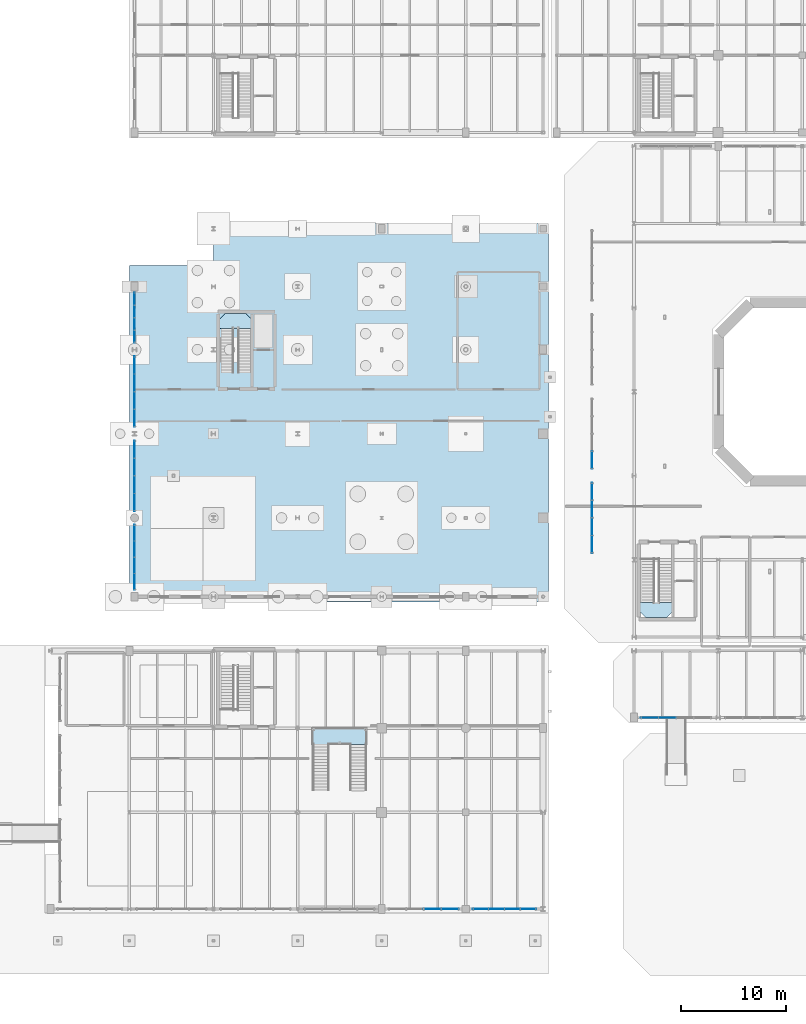
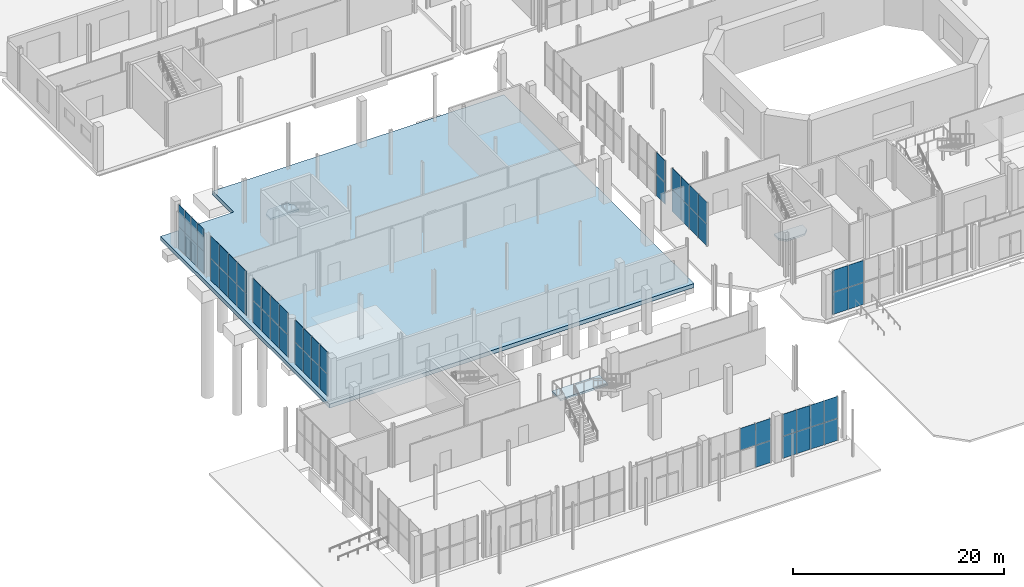
# One storey, part 58 of 87: 57 plates, 4 slabs, 12 elements without a shape of their own.
"""IFC4 building model written with IfcOpenShell, lengths in metres."""

from ifc_helpers import new_model, si_unit, direction, frame, origin, origin_2d, place, context, subcontext, project, spatial, polyline, rectangle, outline, extrude, material, layer, layer_set, type_object, element, aggregate, save


model = new_model("IFC4")

# Units and contexts
model_context = context("Model", 3, precision=1e-05, world=origin(), true_north=direction((0.0, 1.0)))
body_context = subcontext(model_context, "Body", "Model", "MODEL_VIEW")
ifc_project = project(units=[si_unit("LENGTHUNIT", "METRE"), si_unit("AREAUNIT", "SQUARE_METRE"), si_unit("VOLUMEUNIT", "CUBIC_METRE"), si_unit("PLANEANGLEUNIT", "RADIAN"), si_unit("MASSUNIT", "GRAM", prefix="KILO")], contexts=[model_context])

# Site, building, storey
site_placement = place(None, origin())
site = spatial("IfcSite", under=ifc_project, at=site_placement, CompositionType="ELEMENT")
building_placement = place(site_placement, origin())
building = spatial("IfcBuilding", under=site, at=building_placement, Name="Brisemont Oceanarium", CompositionType="ELEMENT")
storey_placement = place(building_placement, origin())
storey = spatial("IfcBuildingStorey", under=building, at=storey_placement, Name="L00", CompositionType="ELEMENT", Elevation=0.0)

# Curtain wall, plates
ifc_material_1 = material(Name="Anodized Extruded Aluminum 6063-T6", Category="aluminium")
curtain_wall_type_1 = type_object("IfcCurtainWallType", Name="CW-GAL-69X43", PredefinedType="NOTDEFINED", material=ifc_material_1)
curtain_wall_1_placement = place(storey_placement, origin())
curtain_wall_1 = element("IfcCurtainWall", 1, at=curtain_wall_1_placement, inside=storey, type_object=curtain_wall_type_1, Name="CW-12 curtain wall CW-V5W-W-L00-01", PredefinedType="NOTDEFINED")
ifc_material_2 = material(Name="Ceramic-Fritted Spandrel Glass", Category="glass")
ifc_layer_1 = layer(ifc_material_2, 0.031982421875)
ifc_layer_set_1 = layer_set([ifc_layer_1], Name="Ceramic-Fritted Spandrel Glass")
plate_type_1 = type_object("IfcPlateType", Name="PLT-CWP-S2", PredefinedType="CURTAIN_PANEL", material=ifc_layer_set_1)
plate_1_placement = place(storey_placement, frame((16.5, 37.925048828125, 0.00146484375), z_axis=(0.0, 0.0, 1.0), x_axis=(0.0, 1.0, 0.0)))
plate_1 = element("IfcPlate", 2, at=plate_1_placement, type_object=plate_type_1, Name="CW-V5W-W-L00-01 panel 1.1", PredefinedType="CURTAIN_PANEL", context=body_context, shape_type="SweptSolid", body=[
    extrude(rectangle(XDim=1.547119140625, YDim=0.031982421875, at=origin_2d()), origin(), (0.0, 0.0, 1.0), 2.547119140625),
])
plate_2_placement = place(storey_placement, frame((16.5, 37.925048828125, 2.55126953125), z_axis=(0.0, 0.0, 1.0), x_axis=(0.0, 1.0, 0.0)))
plate_2 = element("IfcPlate", 3, at=plate_2_placement, type_object=plate_type_1, Name="CW-V5W-W-L00-01 panel 1.2", PredefinedType="CURTAIN_PANEL", context=body_context, shape_type="SweptSolid", body=[
    extrude(rectangle(XDim=1.547119140625, YDim=0.031982421875, at=origin_2d()), origin(), (0.0, 0.0, 1.0), 2.547119140625),
])
plate_3_placement = place(storey_placement, frame((16.5, 39.47509765625, 0.00146484375), z_axis=(0.0, 0.0, 1.0), x_axis=(0.0, 1.0, 0.0)))
plate_3 = element("IfcPlate", 4, at=plate_3_placement, type_object=plate_type_1, Name="CW-V5W-W-L00-01 panel 2.1", PredefinedType="CURTAIN_PANEL", context=body_context, shape_type="SweptSolid", body=[
    extrude(rectangle(XDim=1.547119140625, YDim=0.031982421875, at=origin_2d()), origin(), (0.0, 0.0, 1.0), 2.547119140625),
])
plate_4_placement = place(storey_placement, frame((16.5, 39.47509765625, 2.55126953125), z_axis=(0.0, 0.0, 1.0), x_axis=(0.0, 1.0, 0.0)))
plate_4 = element("IfcPlate", 5, at=plate_4_placement, type_object=plate_type_1, Name="CW-V5W-W-L00-01 panel 2.2", PredefinedType="CURTAIN_PANEL", context=body_context, shape_type="SweptSolid", body=[
    extrude(rectangle(XDim=1.547119140625, YDim=0.031982421875, at=origin_2d()), origin(), (0.0, 0.0, 1.0), 2.547119140625),
])
plate_5_placement = place(storey_placement, frame((16.5, 41.02490234375, 0.00146484375), z_axis=(0.0, 0.0, 1.0), x_axis=(0.0, 1.0, 0.0)))
plate_5 = element("IfcPlate", 6, at=plate_5_placement, type_object=plate_type_1, Name="CW-V5W-W-L00-01 panel 3.1", PredefinedType="CURTAIN_PANEL", context=body_context, shape_type="SweptSolid", body=[
    extrude(rectangle(XDim=1.547119140625, YDim=0.031982421875, at=origin_2d()), origin(), (0.0, 0.0, 1.0), 2.547119140625),
])
plate_6_placement = place(storey_placement, frame((16.5, 41.02490234375, 2.55126953125), z_axis=(0.0, 0.0, 1.0), x_axis=(0.0, 1.0, 0.0)))
plate_6 = element("IfcPlate", 7, at=plate_6_placement, type_object=plate_type_1, Name="CW-V5W-W-L00-01 panel 3.2", PredefinedType="CURTAIN_PANEL", context=body_context, shape_type="SweptSolid", body=[
    extrude(rectangle(XDim=1.547119140625, YDim=0.031982421875, at=origin_2d()), origin(), (0.0, 0.0, 1.0), 2.547119140625),
])
plate_7_placement = place(storey_placement, frame((16.5, 42.574951171875, 0.00146484375), z_axis=(0.0, 0.0, 1.0), x_axis=(0.0, 1.0, 0.0)))
plate_7 = element("IfcPlate", 8, at=plate_7_placement, type_object=plate_type_1, Name="CW-V5W-W-L00-01 panel 4.1", PredefinedType="CURTAIN_PANEL", context=body_context, shape_type="SweptSolid", body=[
    extrude(rectangle(XDim=1.547119140625, YDim=0.031982421875, at=origin_2d()), origin(), (0.0, 0.0, 1.0), 2.547119140625),
])
plate_8_placement = place(storey_placement, frame((16.5, 42.574951171875, 2.55126953125), z_axis=(0.0, 0.0, 1.0), x_axis=(0.0, 1.0, 0.0)))
plate_8 = element("IfcPlate", 9, at=plate_8_placement, type_object=plate_type_1, Name="CW-V5W-W-L00-01 panel 4.2", PredefinedType="CURTAIN_PANEL", context=body_context, shape_type="SweptSolid", body=[
    extrude(rectangle(XDim=1.547119140625, YDim=0.031982421875, at=origin_2d()), origin(), (0.0, 0.0, 1.0), 2.547119140625),
])
aggregate(curtain_wall_1, [plate_1, plate_2, plate_3, plate_4, plate_5, plate_6, plate_7, plate_8])

curtain_wall_2_placement = place(storey_placement, origin())
curtain_wall_2 = element("IfcCurtainWall", 10, at=curtain_wall_2_placement, inside=storey, type_object=curtain_wall_type_1, Name="CW-12 curtain wall CW-V5W-W-L00-02", PredefinedType="NOTDEFINED")
plate_9_placement = place(storey_placement, frame((16.5, 45.487548828125, 0.00146484375), z_axis=(0.0, 0.0, 1.0), x_axis=(0.0, 1.0, 0.0)))
plate_9 = element("IfcPlate", 11, at=plate_9_placement, type_object=plate_type_1, Name="CW-V5W-W-L00-02 panel 1.1", PredefinedType="CURTAIN_PANEL", context=body_context, shape_type="SweptSolid", body=[
    extrude(rectangle(XDim=1.672119140625, YDim=0.031982421875, at=origin_2d()), origin(), (0.0, 0.0, 1.0), 2.547119140625),
])
plate_10_placement = place(storey_placement, frame((16.5, 45.487548828125, 2.55126953125), z_axis=(0.0, 0.0, 1.0), x_axis=(0.0, 1.0, 0.0)))
plate_10 = element("IfcPlate", 12, at=plate_10_placement, type_object=plate_type_1, Name="CW-V5W-W-L00-02 panel 1.2", PredefinedType="CURTAIN_PANEL", context=body_context, shape_type="SweptSolid", body=[
    extrude(rectangle(XDim=1.672119140625, YDim=0.031982421875, at=origin_2d()), origin(), (0.0, 0.0, 1.0), 2.547119140625),
])
plate_11_placement = place(storey_placement, frame((16.5, 47.16259765625, 0.00146484375), z_axis=(0.0, 0.0, 1.0), x_axis=(0.0, 1.0, 0.0)))
plate_11 = element("IfcPlate", 13, at=plate_11_placement, type_object=plate_type_1, Name="CW-V5W-W-L00-02 panel 2.1", PredefinedType="CURTAIN_PANEL", context=body_context, shape_type="SweptSolid", body=[
    extrude(rectangle(XDim=1.672119140625, YDim=0.031982421875, at=origin_2d()), origin(), (0.0, 0.0, 1.0), 2.547119140625),
])
plate_12_placement = place(storey_placement, frame((16.5, 47.16259765625, 2.55126953125), z_axis=(0.0, 0.0, 1.0), x_axis=(0.0, 1.0, 0.0)))
plate_12 = element("IfcPlate", 14, at=plate_12_placement, type_object=plate_type_1, Name="CW-V5W-W-L00-02 panel 2.2", PredefinedType="CURTAIN_PANEL", context=body_context, shape_type="SweptSolid", body=[
    extrude(rectangle(XDim=1.672119140625, YDim=0.031982421875, at=origin_2d()), origin(), (0.0, 0.0, 1.0), 2.547119140625),
])
plate_13_placement = place(storey_placement, frame((16.5, 48.83740234375, 0.00146484375), z_axis=(0.0, 0.0, 1.0), x_axis=(0.0, 1.0, 0.0)))
plate_13 = element("IfcPlate", 15, at=plate_13_placement, type_object=plate_type_1, Name="CW-V5W-W-L00-02 panel 3.1", PredefinedType="CURTAIN_PANEL", context=body_context, shape_type="SweptSolid", body=[
    extrude(rectangle(XDim=1.672119140625, YDim=0.031982421875, at=origin_2d()), origin(), (0.0, 0.0, 1.0), 2.547119140625),
])
plate_14_placement = place(storey_placement, frame((16.5, 48.83740234375, 2.55126953125), z_axis=(0.0, 0.0, 1.0), x_axis=(0.0, 1.0, 0.0)))
plate_14 = element("IfcPlate", 16, at=plate_14_placement, type_object=plate_type_1, Name="CW-V5W-W-L00-02 panel 3.2", PredefinedType="CURTAIN_PANEL", context=body_context, shape_type="SweptSolid", body=[
    extrude(rectangle(XDim=1.672119140625, YDim=0.031982421875, at=origin_2d()), origin(), (0.0, 0.0, 1.0), 2.547119140625),
])
plate_15_placement = place(storey_placement, frame((16.5, 50.512451171875, 0.00146484375), z_axis=(0.0, 0.0, 1.0), x_axis=(0.0, 1.0, 0.0)))
plate_15 = element("IfcPlate", 17, at=plate_15_placement, type_object=plate_type_1, Name="CW-V5W-W-L00-02 panel 4.1", PredefinedType="CURTAIN_PANEL", context=body_context, shape_type="SweptSolid", body=[
    extrude(rectangle(XDim=1.672119140625, YDim=0.031982421875, at=origin_2d()), origin(), (0.0, 0.0, 1.0), 2.547119140625),
])
plate_16_placement = place(storey_placement, frame((16.5, 50.512451171875, 2.55126953125), z_axis=(0.0, 0.0, 1.0), x_axis=(0.0, 1.0, 0.0)))
plate_16 = element("IfcPlate", 18, at=plate_16_placement, type_object=plate_type_1, Name="CW-V5W-W-L00-02 panel 4.2", PredefinedType="CURTAIN_PANEL", context=body_context, shape_type="SweptSolid", body=[
    extrude(rectangle(XDim=1.672119140625, YDim=0.031982421875, at=origin_2d()), origin(), (0.0, 0.0, 1.0), 2.547119140625),
])
aggregate(curtain_wall_2, [plate_9, plate_10, plate_11, plate_12, plate_13, plate_14, plate_15, plate_16])

curtain_wall_3_placement = place(storey_placement, origin())
curtain_wall_3 = element("IfcCurtainWall", 19, at=curtain_wall_3_placement, inside=storey, type_object=curtain_wall_type_1, Name="CW-12 curtain wall CW-V5W-W-L00-03", PredefinedType="NOTDEFINED")
plate_17_placement = place(storey_placement, frame((16.5, 53.487548828125, 0.00146484375), z_axis=(0.0, 0.0, 1.0), x_axis=(0.0, 1.0, 0.0)))
plate_17 = element("IfcPlate", 20, at=plate_17_placement, type_object=plate_type_1, Name="CW-V5W-W-L00-03 panel 1.1", PredefinedType="CURTAIN_PANEL", context=body_context, shape_type="SweptSolid", body=[
    extrude(rectangle(XDim=1.672119140625, YDim=0.031982421875, at=origin_2d()), origin(), (0.0, 0.0, 1.0), 2.547119140625),
])
plate_18_placement = place(storey_placement, frame((16.5, 53.487548828125, 2.55126953125), z_axis=(0.0, 0.0, 1.0), x_axis=(0.0, 1.0, 0.0)))
plate_18 = element("IfcPlate", 21, at=plate_18_placement, type_object=plate_type_1, Name="CW-V5W-W-L00-03 panel 1.2", PredefinedType="CURTAIN_PANEL", context=body_context, shape_type="SweptSolid", body=[
    extrude(rectangle(XDim=1.672119140625, YDim=0.031982421875, at=origin_2d()), origin(), (0.0, 0.0, 1.0), 2.547119140625),
])
plate_19_placement = place(storey_placement, frame((16.5, 55.16259765625, 0.00146484375), z_axis=(0.0, 0.0, 1.0), x_axis=(0.0, 1.0, 0.0)))
plate_19 = element("IfcPlate", 22, at=plate_19_placement, type_object=plate_type_1, Name="CW-V5W-W-L00-03 panel 2.1", PredefinedType="CURTAIN_PANEL", context=body_context, shape_type="SweptSolid", body=[
    extrude(rectangle(XDim=1.672119140625, YDim=0.031982421875, at=origin_2d()), origin(), (0.0, 0.0, 1.0), 2.547119140625),
])
plate_20_placement = place(storey_placement, frame((16.5, 55.16259765625, 2.55126953125), z_axis=(0.0, 0.0, 1.0), x_axis=(0.0, 1.0, 0.0)))
plate_20 = element("IfcPlate", 23, at=plate_20_placement, type_object=plate_type_1, Name="CW-V5W-W-L00-03 panel 2.2", PredefinedType="CURTAIN_PANEL", context=body_context, shape_type="SweptSolid", body=[
    extrude(rectangle(XDim=1.672119140625, YDim=0.031982421875, at=origin_2d()), origin(), (0.0, 0.0, 1.0), 2.547119140625),
])
plate_21_placement = place(storey_placement, frame((16.5, 56.83740234375, 0.00146484375), z_axis=(0.0, 0.0, 1.0), x_axis=(0.0, 1.0, 0.0)))
plate_21 = element("IfcPlate", 24, at=plate_21_placement, type_object=plate_type_1, Name="CW-V5W-W-L00-03 panel 3.1", PredefinedType="CURTAIN_PANEL", context=body_context, shape_type="SweptSolid", body=[
    extrude(rectangle(XDim=1.672119140625, YDim=0.031982421875, at=origin_2d()), origin(), (0.0, 0.0, 1.0), 2.547119140625),
])
plate_22_placement = place(storey_placement, frame((16.5, 56.83740234375, 2.55126953125), z_axis=(0.0, 0.0, 1.0), x_axis=(0.0, 1.0, 0.0)))
plate_22 = element("IfcPlate", 25, at=plate_22_placement, type_object=plate_type_1, Name="CW-V5W-W-L00-03 panel 3.2", PredefinedType="CURTAIN_PANEL", context=body_context, shape_type="SweptSolid", body=[
    extrude(rectangle(XDim=1.672119140625, YDim=0.031982421875, at=origin_2d()), origin(), (0.0, 0.0, 1.0), 2.547119140625),
])
plate_23_placement = place(storey_placement, frame((16.5, 58.512451171875, 0.00146484375), z_axis=(0.0, 0.0, 1.0), x_axis=(0.0, 1.0, 0.0)))
plate_23 = element("IfcPlate", 26, at=plate_23_placement, type_object=plate_type_1, Name="CW-V5W-W-L00-03 panel 4.1", PredefinedType="CURTAIN_PANEL", context=body_context, shape_type="SweptSolid", body=[
    extrude(rectangle(XDim=1.672119140625, YDim=0.031982421875, at=origin_2d()), origin(), (0.0, 0.0, 1.0), 2.547119140625),
])
plate_24_placement = place(storey_placement, frame((16.5, 58.512451171875, 2.55126953125), z_axis=(0.0, 0.0, 1.0), x_axis=(0.0, 1.0, 0.0)))
plate_24 = element("IfcPlate", 27, at=plate_24_placement, type_object=plate_type_1, Name="CW-V5W-W-L00-03 panel 4.2", PredefinedType="CURTAIN_PANEL", context=body_context, shape_type="SweptSolid", body=[
    extrude(rectangle(XDim=1.672119140625, YDim=0.031982421875, at=origin_2d()), origin(), (0.0, 0.0, 1.0), 2.547119140625),
])
aggregate(curtain_wall_3, [plate_17, plate_18, plate_19, plate_20, plate_21, plate_22, plate_23, plate_24])

curtain_wall_4_placement = place(storey_placement, origin())
curtain_wall_4 = element("IfcCurtainWall", 28, at=curtain_wall_4_placement, inside=storey, type_object=curtain_wall_type_1, Name="CW-12 curtain wall CW-V5W-W-L00-04", PredefinedType="NOTDEFINED")
plate_25_placement = place(storey_placement, frame((16.5, 61.24609375, 0.00146484375), z_axis=(0.0, 0.0, 1.0), x_axis=(0.0, 1.0, 0.0)))
plate_25 = element("IfcPlate", 29, at=plate_25_placement, type_object=plate_type_1, Name="CW-V5W-W-L00-04 panel 1.1", PredefinedType="CURTAIN_PANEL", context=body_context, shape_type="SweptSolid", body=[
    extrude(rectangle(XDim=1.189453125, YDim=0.031982421875, at=origin_2d()), origin(), (0.0, 0.0, 1.0), 2.547119140625),
])
plate_26_placement = place(storey_placement, frame((16.5, 61.24609375, 2.55126953125), z_axis=(0.0, 0.0, 1.0), x_axis=(0.0, 1.0, 0.0)))
plate_26 = element("IfcPlate", 30, at=plate_26_placement, type_object=plate_type_1, Name="CW-V5W-W-L00-04 panel 1.2", PredefinedType="CURTAIN_PANEL", context=body_context, shape_type="SweptSolid", body=[
    extrude(rectangle(XDim=1.189453125, YDim=0.031982421875, at=origin_2d()), origin(), (0.0, 0.0, 1.0), 2.547119140625),
])
plate_27_placement = place(storey_placement, frame((16.5, 62.438720703125, 0.00146484375), z_axis=(0.0, 0.0, 1.0), x_axis=(0.0, 1.0, 0.0)))
plate_27 = element("IfcPlate", 31, at=plate_27_placement, type_object=plate_type_1, Name="CW-V5W-W-L00-04 panel 2.1", PredefinedType="CURTAIN_PANEL", context=body_context, shape_type="SweptSolid", body=[
    extrude(rectangle(XDim=1.189453125, YDim=0.031982421875, at=origin_2d()), origin(), (0.0, 0.0, 1.0), 2.547119140625),
])
plate_28_placement = place(storey_placement, frame((16.5, 62.438720703125, 2.55126953125), z_axis=(0.0, 0.0, 1.0), x_axis=(0.0, 1.0, 0.0)))
plate_28 = element("IfcPlate", 32, at=plate_28_placement, type_object=plate_type_1, Name="CW-V5W-W-L00-04 panel 2.2", PredefinedType="CURTAIN_PANEL", context=body_context, shape_type="SweptSolid", body=[
    extrude(rectangle(XDim=1.189453125, YDim=0.031982421875, at=origin_2d()), origin(), (0.0, 0.0, 1.0), 2.547119140625),
])
plate_29_placement = place(storey_placement, frame((16.5, 63.63134765625, 0.00146484375), z_axis=(0.0, 0.0, 1.0), x_axis=(0.0, 1.0, 0.0)))
plate_29 = element("IfcPlate", 33, at=plate_29_placement, type_object=plate_type_1, Name="CW-V5W-W-L00-04 panel 3.1", PredefinedType="CURTAIN_PANEL", context=body_context, shape_type="SweptSolid", body=[
    extrude(rectangle(XDim=1.189453125, YDim=0.031982421875, at=origin_2d()), origin(), (0.0, 0.0, 1.0), 2.547119140625),
])
plate_30_placement = place(storey_placement, frame((16.5, 63.63134765625, 2.55126953125), z_axis=(0.0, 0.0, 1.0), x_axis=(0.0, 1.0, 0.0)))
plate_30 = element("IfcPlate", 34, at=plate_30_placement, type_object=plate_type_1, Name="CW-V5W-W-L00-04 panel 3.2", PredefinedType="CURTAIN_PANEL", context=body_context, shape_type="SweptSolid", body=[
    extrude(rectangle(XDim=1.189453125, YDim=0.031982421875, at=origin_2d()), origin(), (0.0, 0.0, 1.0), 2.547119140625),
])
plate_31_placement = place(storey_placement, frame((16.5, 64.82373046875, 0.00146484375), z_axis=(0.0, 0.0, 1.0), x_axis=(0.0, 1.0, 0.0)))
plate_31 = element("IfcPlate", 35, at=plate_31_placement, type_object=plate_type_1, Name="CW-V5W-W-L00-04 panel 4.1", PredefinedType="CURTAIN_PANEL", context=body_context, shape_type="SweptSolid", body=[
    extrude(rectangle(XDim=1.189453125, YDim=0.031982421875, at=origin_2d()), origin(), (0.0, 0.0, 1.0), 2.547119140625),
])
plate_32_placement = place(storey_placement, frame((16.5, 64.82373046875, 2.55126953125), z_axis=(0.0, 0.0, 1.0), x_axis=(0.0, 1.0, 0.0)))
plate_32 = element("IfcPlate", 36, at=plate_32_placement, type_object=plate_type_1, Name="CW-V5W-W-L00-04 panel 4.2", PredefinedType="CURTAIN_PANEL", context=body_context, shape_type="SweptSolid", body=[
    extrude(rectangle(XDim=1.189453125, YDim=0.031982421875, at=origin_2d()), origin(), (0.0, 0.0, 1.0), 2.547119140625),
])
aggregate(curtain_wall_4, [plate_25, plate_26, plate_27, plate_28, plate_29, plate_30, plate_31, plate_32])

ifc_material_3 = material(Name="Anodized Extruded Aluminum 6063-T6", Category="aluminium")
curtain_wall_type_2 = type_object("IfcCurtainWallType", Name="CW-ROT-69X50", PredefinedType="NOTDEFINED", material=ifc_material_3)
curtain_wall_5_placement = place(storey_placement, origin())
curtain_wall_5 = element("IfcCurtainWall", 37, at=curtain_wall_5_placement, inside=storey, type_object=curtain_wall_type_2, Name="CW-01 curtain wall CW-V1-W-L00-01", PredefinedType="NOTDEFINED")
ifc_material_4 = material(Name="Insulated Low-E Laminated Glass", Category="glass")
ifc_layer_2 = layer(ifc_material_4, 0.028076171875)
ifc_layer_set_2 = layer_set([ifc_layer_2], Name="Insulated Low-E Laminated Glass")
plate_type_2 = type_object("IfcPlateType", Name="PLT-CWP-V1", PredefinedType="CURTAIN_PANEL", material=ifc_layer_set_2)
plate_33_placement = place(storey_placement, frame((60.0, 41.487548828125, 0.00146484375), z_axis=(0.0, 0.0, 1.0), x_axis=(0.0, 1.0, 0.0)))
plate_33 = element("IfcPlate", 38, at=plate_33_placement, type_object=plate_type_2, Name="CW-V1-W-L00-01 panel 1.1", PredefinedType="CURTAIN_PANEL", context=body_context, shape_type="SweptSolid", body=[
    extrude(rectangle(XDim=1.672119140625, YDim=0.028076171875, at=origin_2d()), origin(), (0.0, 0.0, 1.0), 2.527099609375),
])
plate_34_placement = place(storey_placement, frame((60.0, 41.487548828125, 2.53125), z_axis=(0.0, 0.0, 1.0), x_axis=(0.0, 1.0, 0.0)))
plate_34 = element("IfcPlate", 39, at=plate_34_placement, type_object=plate_type_2, Name="CW-V1-W-L00-01 panel 1.2", PredefinedType="CURTAIN_PANEL", context=body_context, shape_type="SweptSolid", body=[
    extrude(rectangle(XDim=1.672119140625, YDim=0.028076171875, at=origin_2d()), origin(), (0.0, 0.0, 1.0), 2.527099609375),
])
plate_35_placement = place(storey_placement, frame((60.0, 43.16259765625, 0.00146484375), z_axis=(0.0, 0.0, 1.0), x_axis=(0.0, 1.0, 0.0)))
plate_35 = element("IfcPlate", 40, at=plate_35_placement, type_object=plate_type_2, Name="CW-V1-W-L00-01 panel 2.1", PredefinedType="CURTAIN_PANEL", context=body_context, shape_type="SweptSolid", body=[
    extrude(rectangle(XDim=1.672119140625, YDim=0.028076171875, at=origin_2d()), origin(), (0.0, 0.0, 1.0), 2.527099609375),
])
plate_36_placement = place(storey_placement, frame((60.0, 43.16259765625, 2.53125), z_axis=(0.0, 0.0, 1.0), x_axis=(0.0, 1.0, 0.0)))
plate_36 = element("IfcPlate", 41, at=plate_36_placement, type_object=plate_type_2, Name="CW-V1-W-L00-01 panel 2.2", PredefinedType="CURTAIN_PANEL", context=body_context, shape_type="SweptSolid", body=[
    extrude(rectangle(XDim=1.672119140625, YDim=0.028076171875, at=origin_2d()), origin(), (0.0, 0.0, 1.0), 2.527099609375),
])
plate_37_placement = place(storey_placement, frame((60.0, 44.83740234375, 0.00146484375), z_axis=(0.0, 0.0, 1.0), x_axis=(0.0, 1.0, 0.0)))
plate_37 = element("IfcPlate", 42, at=plate_37_placement, type_object=plate_type_2, Name="CW-V1-W-L00-01 panel 3.1", PredefinedType="CURTAIN_PANEL", context=body_context, shape_type="SweptSolid", body=[
    extrude(rectangle(XDim=1.672119140625, YDim=0.028076171875, at=origin_2d()), origin(), (0.0, 0.0, 1.0), 2.527099609375),
])
plate_38_placement = place(storey_placement, frame((60.0, 44.83740234375, 2.53125), z_axis=(0.0, 0.0, 1.0), x_axis=(0.0, 1.0, 0.0)))
plate_38 = element("IfcPlate", 43, at=plate_38_placement, type_object=plate_type_2, Name="CW-V1-W-L00-01 panel 3.2", PredefinedType="CURTAIN_PANEL", context=body_context, shape_type="SweptSolid", body=[
    extrude(rectangle(XDim=1.672119140625, YDim=0.028076171875, at=origin_2d()), origin(), (0.0, 0.0, 1.0), 2.527099609375),
])
plate_39_placement = place(storey_placement, frame((60.0, 46.512451171875, 0.00146484375), z_axis=(0.0, 0.0, 1.0), x_axis=(0.0, 1.0, 0.0)))
plate_39 = element("IfcPlate", 44, at=plate_39_placement, type_object=plate_type_2, Name="CW-V1-W-L00-01 panel 4.1", PredefinedType="CURTAIN_PANEL", context=body_context, shape_type="SweptSolid", body=[
    extrude(rectangle(XDim=1.672119140625, YDim=0.028076171875, at=origin_2d()), origin(), (0.0, 0.0, 1.0), 2.527099609375),
])
plate_40_placement = place(storey_placement, frame((60.0, 46.512451171875, 2.53125), z_axis=(0.0, 0.0, 1.0), x_axis=(0.0, 1.0, 0.0)))
plate_40 = element("IfcPlate", 45, at=plate_40_placement, type_object=plate_type_2, Name="CW-V1-W-L00-01 panel 4.2", PredefinedType="CURTAIN_PANEL", context=body_context, shape_type="SweptSolid", body=[
    extrude(rectangle(XDim=1.672119140625, YDim=0.028076171875, at=origin_2d()), origin(), (0.0, 0.0, 1.0), 2.527099609375),
])
aggregate(curtain_wall_5, [plate_33, plate_34, plate_35, plate_36, plate_37, plate_38, plate_39, plate_40])

curtain_wall_6_placement = place(storey_placement, origin())
curtain_wall_6 = element("IfcCurtainWall", 46, at=curtain_wall_6_placement, inside=storey, type_object=curtain_wall_type_2, Name="CW-01 curtain wall CW-V1-W-L00-02", PredefinedType="NOTDEFINED")
plate_41_placement = place(storey_placement, frame((60.0, 49.487548828125, 0.00146484375), z_axis=(0.0, 0.0, 1.0), x_axis=(0.0, 1.0, 0.0)))
plate_41 = element("IfcPlate", 47, at=plate_41_placement, type_object=plate_type_2, Name="CW-V1-W-L00-02 panel 1.1", PredefinedType="CURTAIN_PANEL", context=body_context, shape_type="SweptSolid", body=[
    extrude(rectangle(XDim=1.672119140625, YDim=0.028076171875, at=origin_2d()), origin(), (0.0, 0.0, 1.0), 2.527099609375),
])
plate_42_placement = place(storey_placement, frame((60.0, 49.487548828125, 2.53125), z_axis=(0.0, 0.0, 1.0), x_axis=(0.0, 1.0, 0.0)))
plate_42 = element("IfcPlate", 48, at=plate_42_placement, type_object=plate_type_2, Name="CW-V1-W-L00-02 panel 1.2", PredefinedType="CURTAIN_PANEL", context=body_context, shape_type="SweptSolid", body=[
    extrude(rectangle(XDim=1.672119140625, YDim=0.028076171875, at=origin_2d()), origin(), (0.0, 0.0, 1.0), 2.527099609375),
])
aggregate(curtain_wall_6, [plate_41, plate_42])

ifc_material_5 = material(Name="Anodized Extruded Aluminum 6063-T6", Category="aluminium")
curtain_wall_type_3 = type_object("IfcCurtainWallType", Name="CW-POR-69X50", PredefinedType="NOTDEFINED", material=ifc_material_5)
curtain_wall_7_placement = place(storey_placement, origin())
curtain_wall_7 = element("IfcCurtainWall", 49, at=curtain_wall_7_placement, inside=storey, type_object=curtain_wall_type_3, Name="CW-19 curtain wall CW-V1P-S-L00-01", PredefinedType="NOTDEFINED")
ifc_material_6 = material(Name="Insulated Low-E Laminated Glass", Category="glass")
ifc_layer_3 = layer(ifc_material_6, 0.030029296875)
ifc_layer_set_3 = layer_set([ifc_layer_3], Name="Insulated Low-E Laminated Glass")
plate_type_3 = type_object("IfcPlateType", Name="PLT-CWP-V4", PredefinedType="CURTAIN_PANEL", material=ifc_layer_set_3)
plate_43_placement = place(storey_placement, frame((65.487548828125, 25.0, 0.00146484375), z_axis=(0.0, 0.0, 1.0), x_axis=(1.0, 0.0, 0.0)))
plate_43 = element("IfcPlate", 50, at=plate_43_placement, type_object=plate_type_3, Name="CW-V1P-S-L00-01 panel 1.1", PredefinedType="CURTAIN_PANEL", context=body_context, shape_type="SweptSolid", body=[
    extrude(rectangle(XDim=1.672119140625, YDim=0.030029296875, at=origin_2d()), origin(), (0.0, 0.0, 1.0), 2.547119140625),
])
plate_44_placement = place(storey_placement, frame((65.487548828125, 25.0, 2.55126953125), z_axis=(0.0, 0.0, 1.0), x_axis=(1.0, 0.0, 0.0)))
plate_44 = element("IfcPlate", 51, at=plate_44_placement, type_object=plate_type_3, Name="CW-V1P-S-L00-01 panel 1.2", PredefinedType="CURTAIN_PANEL", context=body_context, shape_type="SweptSolid", body=[
    extrude(rectangle(XDim=1.672119140625, YDim=0.030029296875, at=origin_2d()), origin(), (0.0, 0.0, 1.0), 2.547119140625),
])
plate_45_placement = place(storey_placement, frame((67.16259765625, 25.0, 0.00146484375), z_axis=(0.0, 0.0, 1.0), x_axis=(1.0, 0.0, 0.0)))
plate_45 = element("IfcPlate", 52, at=plate_45_placement, type_object=plate_type_3, Name="CW-V1P-S-L00-01 panel 2.1", PredefinedType="CURTAIN_PANEL", context=body_context, shape_type="SweptSolid", body=[
    extrude(rectangle(XDim=1.672119140625, YDim=0.030029296875, at=origin_2d()), origin(), (0.0, 0.0, 1.0), 2.547119140625),
])
plate_46_placement = place(storey_placement, frame((67.16259765625, 25.0, 2.55126953125), z_axis=(0.0, 0.0, 1.0), x_axis=(1.0, 0.0, 0.0)))
plate_46 = element("IfcPlate", 53, at=plate_46_placement, type_object=plate_type_3, Name="CW-V1P-S-L00-01 panel 2.2", PredefinedType="CURTAIN_PANEL", context=body_context, shape_type="SweptSolid", body=[
    extrude(rectangle(XDim=1.672119140625, YDim=0.030029296875, at=origin_2d()), origin(), (0.0, 0.0, 1.0), 2.547119140625),
])
aggregate(curtain_wall_7, [plate_43, plate_44, plate_45, plate_46])

ifc_material_7 = material(Name="Anodized Extruded Aluminum 6063-T6", Category="aluminium")
curtain_wall_type_4 = type_object("IfcCurtainWallType", Name="CW-HALL-69X50", PredefinedType="NOTDEFINED", material=ifc_material_7)
curtain_wall_8_placement = place(storey_placement, origin())
curtain_wall_8 = element("IfcCurtainWall", 54, at=curtain_wall_8_placement, inside=storey, type_object=curtain_wall_type_4, Name="CW-04 curtain wall CW-V2-S-L00-05", PredefinedType="NOTDEFINED")
plate_47_placement = place(storey_placement, frame((44.83740234375, 6.800048828125, 2.55126953125), z_axis=(0.0, 0.0, 1.0), x_axis=(1.0, 0.0, 0.0)))
plate_47 = element("IfcPlate", 55, at=plate_47_placement, type_object=plate_type_3, Name="CW-V2-S-L00-05 panel 3.2", PredefinedType="CURTAIN_PANEL", context=body_context, shape_type="SweptSolid", body=[
    extrude(rectangle(XDim=1.672119140625, YDim=0.030029296875, at=origin_2d()), origin(), (0.0, 0.0, 1.0), 2.547119140625),
])
plate_48_placement = place(storey_placement, frame((46.512451171875, 6.800048828125, 0.00146484375), z_axis=(0.0, 0.0, 1.0), x_axis=(1.0, 0.0, 0.0)))
plate_48 = element("IfcPlate", 56, at=plate_48_placement, type_object=plate_type_3, Name="CW-V2-S-L00-05 panel 4.1", PredefinedType="CURTAIN_PANEL", context=body_context, shape_type="SweptSolid", body=[
    extrude(rectangle(XDim=1.672119140625, YDim=0.030029296875, at=origin_2d()), origin(), (0.0, 0.0, 1.0), 2.547119140625),
])
plate_49_placement = place(storey_placement, frame((46.512451171875, 6.800048828125, 2.55126953125), z_axis=(0.0, 0.0, 1.0), x_axis=(1.0, 0.0, 0.0)))
plate_49 = element("IfcPlate", 57, at=plate_49_placement, type_object=plate_type_3, Name="CW-V2-S-L00-05 panel 4.2", PredefinedType="CURTAIN_PANEL", context=body_context, shape_type="SweptSolid", body=[
    extrude(rectangle(XDim=1.672119140625, YDim=0.030029296875, at=origin_2d()), origin(), (0.0, 0.0, 1.0), 2.547119140625),
])
aggregate(curtain_wall_8, [plate_47, plate_48, plate_49])

curtain_wall_9_placement = place(storey_placement, origin())
curtain_wall_9 = element("IfcCurtainWall", 58, at=curtain_wall_9_placement, inside=storey, type_object=curtain_wall_type_4, Name="CW-04 curtain wall CW-V2-S-L00-06", PredefinedType="NOTDEFINED")
plate_50_placement = place(storey_placement, frame((49.40625, 6.800048828125, 0.00146484375), z_axis=(0.0, 0.0, 1.0), x_axis=(1.0, 0.0, 0.0)))
plate_50 = element("IfcPlate", 59, at=plate_50_placement, type_object=plate_type_3, Name="CW-V2-S-L00-06 panel 1.1", PredefinedType="CURTAIN_PANEL", context=body_context, shape_type="SweptSolid", body=[
    extrude(rectangle(XDim=1.509521484375, YDim=0.030029296875, at=origin_2d()), origin(), (0.0, 0.0, 1.0), 2.547119140625),
])
plate_51_placement = place(storey_placement, frame((49.40625, 6.800048828125, 2.55126953125), z_axis=(0.0, 0.0, 1.0), x_axis=(1.0, 0.0, 0.0)))
plate_51 = element("IfcPlate", 60, at=plate_51_placement, type_object=plate_type_3, Name="CW-V2-S-L00-06 panel 1.2", PredefinedType="CURTAIN_PANEL", context=body_context, shape_type="SweptSolid", body=[
    extrude(rectangle(XDim=1.509521484375, YDim=0.030029296875, at=origin_2d()), origin(), (0.0, 0.0, 1.0), 2.547119140625),
])
plate_52_placement = place(storey_placement, frame((50.918701171875, 6.800048828125, 0.00146484375), z_axis=(0.0, 0.0, 1.0), x_axis=(1.0, 0.0, 0.0)))
plate_52 = element("IfcPlate", 61, at=plate_52_placement, type_object=plate_type_3, Name="CW-V2-S-L00-06 panel 2.1", PredefinedType="CURTAIN_PANEL", context=body_context, shape_type="SweptSolid", body=[
    extrude(rectangle(XDim=1.509521484375, YDim=0.030029296875, at=origin_2d()), origin(), (0.0, 0.0, 1.0), 2.547119140625),
])
plate_53_placement = place(storey_placement, frame((50.918701171875, 6.800048828125, 2.55126953125), z_axis=(0.0, 0.0, 1.0), x_axis=(1.0, 0.0, 0.0)))
plate_53 = element("IfcPlate", 62, at=plate_53_placement, type_object=plate_type_3, Name="CW-V2-S-L00-06 panel 2.2", PredefinedType="CURTAIN_PANEL", context=body_context, shape_type="SweptSolid", body=[
    extrude(rectangle(XDim=1.509521484375, YDim=0.030029296875, at=origin_2d()), origin(), (0.0, 0.0, 1.0), 2.547119140625),
])
plate_54_placement = place(storey_placement, frame((52.43115234375, 6.800048828125, 0.00146484375), z_axis=(0.0, 0.0, 1.0), x_axis=(1.0, 0.0, 0.0)))
plate_54 = element("IfcPlate", 63, at=plate_54_placement, type_object=plate_type_3, Name="CW-V2-S-L00-06 panel 3.1", PredefinedType="CURTAIN_PANEL", context=body_context, shape_type="SweptSolid", body=[
    extrude(rectangle(XDim=1.509521484375, YDim=0.030029296875, at=origin_2d()), origin(), (0.0, 0.0, 1.0), 2.547119140625),
])
plate_55_placement = place(storey_placement, frame((52.43115234375, 6.800048828125, 2.55126953125), z_axis=(0.0, 0.0, 1.0), x_axis=(1.0, 0.0, 0.0)))
plate_55 = element("IfcPlate", 64, at=plate_55_placement, type_object=plate_type_3, Name="CW-V2-S-L00-06 panel 3.2", PredefinedType="CURTAIN_PANEL", context=body_context, shape_type="SweptSolid", body=[
    extrude(rectangle(XDim=1.509521484375, YDim=0.030029296875, at=origin_2d()), origin(), (0.0, 0.0, 1.0), 2.547119140625),
])
plate_56_placement = place(storey_placement, frame((53.94384765625, 6.800048828125, 0.00146484375), z_axis=(0.0, 0.0, 1.0), x_axis=(1.0, 0.0, 0.0)))
plate_56 = element("IfcPlate", 65, at=plate_56_placement, type_object=plate_type_3, Name="CW-V2-S-L00-06 panel 4.1", PredefinedType="CURTAIN_PANEL", context=body_context, shape_type="SweptSolid", body=[
    extrude(rectangle(XDim=1.509521484375, YDim=0.030029296875, at=origin_2d()), origin(), (0.0, 0.0, 1.0), 2.547119140625),
])
plate_57_placement = place(storey_placement, frame((53.94384765625, 6.800048828125, 2.55126953125), z_axis=(0.0, 0.0, 1.0), x_axis=(1.0, 0.0, 0.0)))
plate_57 = element("IfcPlate", 66, at=plate_57_placement, type_object=plate_type_3, Name="CW-V2-S-L00-06 panel 4.2", PredefinedType="CURTAIN_PANEL", context=body_context, shape_type="SweptSolid", body=[
    extrude(rectangle(XDim=1.509521484375, YDim=0.030029296875, at=origin_2d()), origin(), (0.0, 0.0, 1.0), 2.547119140625),
])
aggregate(curtain_wall_9, [plate_50, plate_51, plate_52, plate_53, plate_54, plate_55, plate_56, plate_57])

# Slab
ifc_material_8 = material(Name="Concrete C40/50", Category="concrete")
ifc_layer_4 = layer(ifc_material_8, 0.4599609375)
ifc_layer_set_4 = layer_set([ifc_layer_4], Name="Concrete C40/50")
slab_type_1 = type_object("IfcSlabType", Name="SLB-BASE-460", PredefinedType="BASESLAB", material=ifc_layer_set_4)
slab_1_placement = place(storey_placement, frame((0.0, 0.0, -0.4599609375)))
element("IfcSlab", 67, at=slab_1_placement, inside=storey, type_object=slab_type_1, Name="V5W L00 baseslab slab", PredefinedType="BASESLAB", context=body_context, shape_type="SweptSolid", body=[
    extrude(outline(polyline([(16.0, 36.0), (55.85009765625, 36.0), (55.85009765625, 72.0), (24.0, 72.0), (24.0, 68.0), (16.0, 68.0), (16.0, 36.0)])), origin(), (0.0, 0.0, 1.0), 0.4599609375),
])

# Stair, slab
ifc_material_9 = material(Name="Concrete C40/50", Category="concrete")
stair_type_1 = type_object("IfcStairType", Name="STR-CORE-124-54", PredefinedType="HALF_TURN_STAIR", material=ifc_material_9)
stair_1_placement = place(storey_placement, origin())
stair_1 = element("IfcStair", 68, at=stair_1_placement, inside=storey, type_object=stair_type_1, Name="Exit stair ST-01 L00 to L01", PredefinedType="HALF_TURN_STAIR")
ifc_material_10 = material(Name="Concrete C40/50", Category="concrete")
ifc_layer_5 = layer(ifc_material_10, 0.219970703125)
ifc_layer_set_5 = layer_set([ifc_layer_5], Name="Concrete C40/50")
slab_type_2 = type_object("IfcSlabType", Name="SLB-LANDING-220", PredefinedType="LANDING", material=ifc_layer_set_5)
slab_2_placement = place(storey_placement, frame((0.0, 0.0, 2.47998046875)))
slab_2 = element("IfcSlab", 69, at=slab_2_placement, type_object=slab_type_2, Name="ST-01 L00 half-landing", PredefinedType="LANDING", context=body_context, shape_type="SweptSolid", body=[
    extrude(outline(polyline([(65.1201171875, 34.530029296875), (67.10009765625, 34.530029296875), (67.64990234375, 35.080078125), (67.64990234375, 35.9599609375), (64.570068359375, 35.9599609375), (64.570068359375, 35.080078125), (65.1201171875, 34.530029296875)])), origin(), (0.0, 0.0, 1.0), 0.219970703125),
])
aggregate(stair_1, [slab_2])

ifc_material_11 = material(Name="Concrete C40/50", Category="concrete")
stair_type_2 = type_object("IfcStairType", Name="STR-CORE-120-54", PredefinedType="HALF_TURN_STAIR", material=ifc_material_11)
stair_2_placement = place(storey_placement, origin())
stair_2 = element("IfcStair", 70, at=stair_2_placement, inside=storey, type_object=stair_type_2, Name="Exit stair ST-05 L00 to L01", PredefinedType="HALF_TURN_STAIR")
slab_3_placement = place(storey_placement, frame((0.0, 0.0, 2.47998046875)))
slab_3 = element("IfcSlab", 71, at=slab_3_placement, type_object=slab_type_2, Name="ST-05 L00 half-landing", PredefinedType="LANDING", context=body_context, shape_type="SweptSolid", body=[
    extrude(outline(polyline([(24.570068359375, 61.989990234375), (27.64990234375, 61.989990234375), (27.64990234375, 62.8701171875), (27.10009765625, 63.419921875), (25.1201171875, 63.419921875), (24.570068359375, 62.8701171875), (24.570068359375, 61.989990234375)])), origin(), (0.0, 0.0, 1.0), 0.219970703125),
])
aggregate(stair_2, [slab_3])

ifc_material_12 = material(Name="Concrete C40/50", Category="concrete")
stair_type_3 = type_object("IfcStairType", Name="STR-MON-155-54", PredefinedType="HALF_TURN_STAIR", material=ifc_material_12)
stair_3_placement = place(storey_placement, origin())
stair_3 = element("IfcStair", 72, at=stair_3_placement, inside=storey, type_object=stair_type_3, Name="Grand Beaux-Arts stair ST-10", PredefinedType="HALF_TURN_STAIR")
slab_4_placement = place(storey_placement, frame((0.0, 0.0, 2.47998046875)))
slab_4 = element("IfcSlab", 73, at=slab_4_placement, type_object=slab_type_2, Name="ST-10 grand landing", PredefinedType="LANDING", context=body_context, shape_type="SweptSolid", body=[
    extrude(outline(polyline([(33.39990234375, 22.43994140625), (38.60009765625, 22.43994140625), (38.60009765625, 24.0400390625), (33.39990234375, 24.0400390625), (33.39990234375, 22.43994140625)])), origin(), (0.0, 0.0, 1.0), 0.219970703125),
])
aggregate(stair_3, [slab_4])

save(model, "model.ifc")
